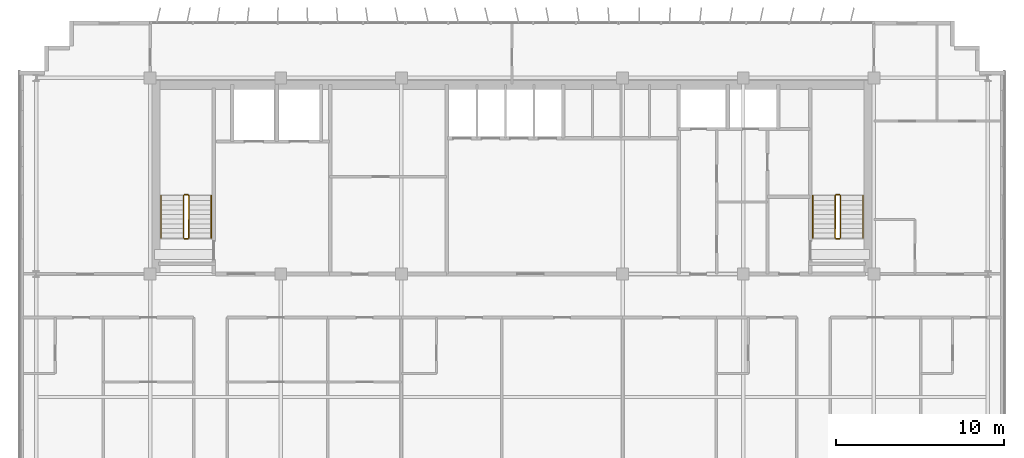
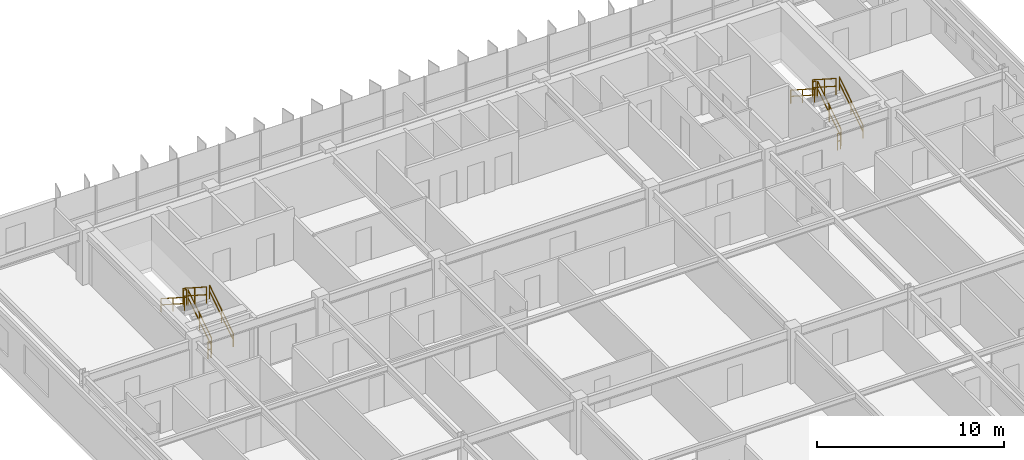
# One storey, part 21 of 21: 12 railings.
"""IFC4 building model written with IfcOpenShell, lengths in metres."""

from ifc_helpers import new_model, si_unit, direction, frame, origin, origin_2d, place, context, subcontext, project, spatial, rectangle, extrude, material, type_object, element, save


model = new_model("IFC4")

# Units and contexts
model_context = context("Model", 3, precision=1e-05, world=origin(), true_north=direction((0.0, 1.0)))
body_context = subcontext(model_context, "Body", "Model", "MODEL_VIEW")
ifc_project = project(units=[si_unit("LENGTHUNIT", "METRE"), si_unit("AREAUNIT", "SQUARE_METRE"), si_unit("VOLUMEUNIT", "CUBIC_METRE"), si_unit("PLANEANGLEUNIT", "RADIAN"), si_unit("MASSUNIT", "GRAM", prefix="KILO")], contexts=[model_context])

# Site, building, storey
site_placement = place(None, origin())
site = spatial("IfcSite", under=ifc_project, at=site_placement, CompositionType="ELEMENT")
building_placement = place(site_placement, origin())
building = spatial("IfcBuilding", under=site, at=building_placement, Name="Trelvane Seafront Commons", CompositionType="ELEMENT")
storey_placement = place(building_placement, frame((0.0, 0.0, 160.89990234375)))
storey = spatial("IfcBuildingStorey", under=building, at=storey_placement, Name="L42", CompositionType="ELEMENT", Elevation=160.89990234375)

# Railings
ifc_material = material(Name="Stainless steel balustrade", Category="steel")
railing_type_1 = type_object("IfcRailingType", Name="ARCH-SRL-GUARD", PredefinedType="GUARDRAIL", material=ifc_material)
railing_1_placement = place(storey_placement, frame((17.89990234375, 35.550048828125, 0.18017578125)))
element("IfcRailing", 1, at=railing_1_placement, inside=storey, type_object=railing_type_1, Name="L42 ST-1 stair guard 1", PredefinedType="GUARDRAIL", context=body_context, shape_type="SweptSolid", body=[
    extrude(rectangle(XDim=0.048095703125, YDim=0.048095703125, at=origin_2d()), frame((0.0, 0.0, 1.076171875), z_axis=(0.0, 0.841199657755, 0.540724639528), x_axis=(-1.0, 0.0, 0.0)), (0.0, 0.0, 1.0), 2.995849609375),
    extrude(rectangle(XDim=0.048095703125, YDim=0.048095703125, at=origin_2d()), frame((0.0, 0.0, 0.572021484375), z_axis=(0.0, 0.841199657755, 0.540724639528), x_axis=(-1.0, 0.0, 0.0)), (0.0, 0.0, 1.0), 2.995849609375),
    extrude(rectangle(XDim=0.0419921875, YDim=0.0419921875, at=origin_2d()), origin(), (0.0, 0.0, 1.0), 1.076171875),
    extrude(rectangle(XDim=0.0419921875, YDim=0.0419921875, at=origin_2d()), frame((0.0, 1.260009765625, 0.81005859375)), (0.0, 0.0, 1.0), 1.076171875),
    extrude(rectangle(XDim=0.0419921875, YDim=0.0419921875, at=origin_2d()), frame((0.0, 2.52001953125, 1.619873046875)), (0.0, 0.0, 1.0), 1.076171875),
])
railing_2_placement = place(storey_placement, frame((17.85009765625, 38.1201171875, 1.800048828125)))
element("IfcRailing", 2, at=railing_2_placement, inside=storey, type_object=railing_type_1, Name="L42 ST-1 stair guard 2", PredefinedType="GUARDRAIL", context=body_context, shape_type="SweptSolid", body=[
    extrude(rectangle(XDim=0.048095703125, YDim=0.048095703125, at=origin_2d()), frame((0.0, 0.0, 1.076171875), z_axis=(-1.0, 0.0, 0.0), x_axis=(0.0, -1.0, 0.0)), (0.0, 0.0, 1.0), 0.2001953125),
    extrude(rectangle(XDim=0.048095703125, YDim=0.048095703125, at=origin_2d()), frame((0.0, 0.0, 0.572021484375), z_axis=(-1.0, 0.0, 0.0), x_axis=(0.0, -1.0, 0.0)), (0.0, 0.0, 1.0), 0.2001953125),
    extrude(rectangle(XDim=0.0419921875, YDim=0.0419921875, at=origin_2d()), origin(), (0.0, 0.0, 1.0), 1.076171875),
    extrude(rectangle(XDim=0.0419921875, YDim=0.0419921875, at=origin_2d()), frame((-0.2001953125, 0.0, 0.0)), (0.0, 0.0, 1.0), 1.076171875),
])
railing_3_placement = place(storey_placement, frame((17.60009765625, 38.070068359375, 1.97998046875)))
element("IfcRailing", 3, at=railing_3_placement, inside=storey, type_object=railing_type_1, Name="L42 ST-1 stair guard 3", PredefinedType="GUARDRAIL", context=body_context, shape_type="SweptSolid", body=[
    extrude(rectangle(XDim=0.048095703125, YDim=0.048095703125, at=origin_2d()), frame((0.0, 0.0, 1.076171875), z_axis=(0.0, -0.841162588446, 0.540782303519), x_axis=(1.0, 0.0, 0.0)), (0.0, 0.0, 1.0), 2.995849609375),
    extrude(rectangle(XDim=0.048095703125, YDim=0.048095703125, at=origin_2d()), frame((0.0, 0.0, 0.572021484375), z_axis=(0.0, -0.841162588446, 0.540782303519), x_axis=(1.0, 0.0, 0.0)), (0.0, 0.0, 1.0), 2.995849609375),
    extrude(rectangle(XDim=0.0419921875, YDim=0.0419921875, at=origin_2d()), origin(), (0.0, 0.0, 1.0), 1.076171875),
    extrude(rectangle(XDim=0.0419921875, YDim=0.0419921875, at=origin_2d()), frame((0.0, -1.260009765625, 0.81005859375)), (0.0, 0.0, 1.0), 1.076171875),
    extrude(rectangle(XDim=0.0419921875, YDim=0.0419921875, at=origin_2d()), frame((0.0, -2.52001953125, 1.6201171875)), (0.0, 0.0, 1.0), 1.076171875),
])
railing_4_placement = place(storey_placement, frame((17.85009765625, 35.5, 0.0)))
element("IfcRailing", 4, at=railing_4_placement, inside=storey, type_object=railing_type_1, Name="L42 ST-1 stair guard 4", PredefinedType="GUARDRAIL", context=body_context, shape_type="SweptSolid", body=[
    extrude(rectangle(XDim=0.048095703125, YDim=0.048095703125, at=origin_2d()), frame((0.0, 0.0, 1.076171875), z_axis=(-1.0, 0.0, 0.0), x_axis=(0.0, -1.0, 0.0)), (0.0, 0.0, 1.0), 0.2001953125),
    extrude(rectangle(XDim=0.048095703125, YDim=0.048095703125, at=origin_2d()), frame((0.0, 0.0, 0.572021484375), z_axis=(-1.0, 0.0, 0.0), x_axis=(0.0, -1.0, 0.0)), (0.0, 0.0, 1.0), 0.2001953125),
    extrude(rectangle(XDim=0.0419921875, YDim=0.0419921875, at=origin_2d()), origin(), (0.0, 0.0, 1.0), 1.076171875),
    extrude(rectangle(XDim=0.0419921875, YDim=0.0419921875, at=origin_2d()), frame((-0.2001953125, 0.0, 0.0)), (0.0, 0.0, 1.0), 1.076171875),
])
railing_5_placement = place(storey_placement, frame((56.800048828125, 35.550048828125, 0.18017578125)))
element("IfcRailing", 5, at=railing_5_placement, inside=storey, type_object=railing_type_1, Name="L42 ST-2 stair guard 1", PredefinedType="GUARDRAIL", context=body_context, shape_type="SweptSolid", body=[
    extrude(rectangle(XDim=0.048095703125, YDim=0.048095703125, at=origin_2d()), frame((0.0, 0.0, 1.076171875), z_axis=(0.0, 0.841199657755, 0.540724639528), x_axis=(-1.0, 0.0, 0.0)), (0.0, 0.0, 1.0), 2.995849609375),
    extrude(rectangle(XDim=0.048095703125, YDim=0.048095703125, at=origin_2d()), frame((0.0, 0.0, 0.572021484375), z_axis=(0.0, 0.841199657755, 0.540724639528), x_axis=(-1.0, 0.0, 0.0)), (0.0, 0.0, 1.0), 2.995849609375),
    extrude(rectangle(XDim=0.0419921875, YDim=0.0419921875, at=origin_2d()), origin(), (0.0, 0.0, 1.0), 1.076171875),
    extrude(rectangle(XDim=0.0419921875, YDim=0.0419921875, at=origin_2d()), frame((0.0, 1.260009765625, 0.81005859375)), (0.0, 0.0, 1.0), 1.076171875),
    extrude(rectangle(XDim=0.0419921875, YDim=0.0419921875, at=origin_2d()), frame((0.0, 2.52001953125, 1.619873046875)), (0.0, 0.0, 1.0), 1.076171875),
])
railing_6_placement = place(storey_placement, frame((56.75, 38.1201171875, 1.800048828125)))
element("IfcRailing", 6, at=railing_6_placement, inside=storey, type_object=railing_type_1, Name="L42 ST-2 stair guard 2", PredefinedType="GUARDRAIL", context=body_context, shape_type="SweptSolid", body=[
    extrude(rectangle(XDim=0.048095703125, YDim=0.048095703125, at=origin_2d()), frame((0.0, 0.0, 1.076171875), z_axis=(-1.0, 0.0, 0.0), x_axis=(0.0, -1.0, 0.0)), (0.0, 0.0, 1.0), 0.199951171875),
    extrude(rectangle(XDim=0.048095703125, YDim=0.048095703125, at=origin_2d()), frame((0.0, 0.0, 0.572021484375), z_axis=(-1.0, 0.0, 0.0), x_axis=(0.0, -1.0, 0.0)), (0.0, 0.0, 1.0), 0.199951171875),
    extrude(rectangle(XDim=0.0419921875, YDim=0.0419921875, at=origin_2d()), origin(), (0.0, 0.0, 1.0), 1.076171875),
    extrude(rectangle(XDim=0.0419921875, YDim=0.0419921875, at=origin_2d()), frame((-0.199951171875, 0.0, 0.0)), (0.0, 0.0, 1.0), 1.076171875),
])
railing_7_placement = place(storey_placement, frame((56.5, 38.070068359375, 1.97998046875)))
element("IfcRailing", 7, at=railing_7_placement, inside=storey, type_object=railing_type_1, Name="L42 ST-2 stair guard 3", PredefinedType="GUARDRAIL", context=body_context, shape_type="SweptSolid", body=[
    extrude(rectangle(XDim=0.048095703125, YDim=0.048095703125, at=origin_2d()), frame((0.0, 0.0, 1.076171875), z_axis=(0.0, -0.841162588446, 0.540782303519), x_axis=(1.0, 0.0, 0.0)), (0.0, 0.0, 1.0), 2.995849609375),
    extrude(rectangle(XDim=0.048095703125, YDim=0.048095703125, at=origin_2d()), frame((0.0, 0.0, 0.572021484375), z_axis=(0.0, -0.841162588446, 0.540782303519), x_axis=(1.0, 0.0, 0.0)), (0.0, 0.0, 1.0), 2.995849609375),
    extrude(rectangle(XDim=0.0419921875, YDim=0.0419921875, at=origin_2d()), origin(), (0.0, 0.0, 1.0), 1.076171875),
    extrude(rectangle(XDim=0.0419921875, YDim=0.0419921875, at=origin_2d()), frame((0.0, -1.260009765625, 0.81005859375)), (0.0, 0.0, 1.0), 1.076171875),
    extrude(rectangle(XDim=0.0419921875, YDim=0.0419921875, at=origin_2d()), frame((0.0, -2.52001953125, 1.6201171875)), (0.0, 0.0, 1.0), 1.076171875),
])
railing_8_placement = place(storey_placement, frame((56.75, 35.5, 0.0)))
element("IfcRailing", 8, at=railing_8_placement, inside=storey, type_object=railing_type_1, Name="L42 ST-2 stair guard 4", PredefinedType="GUARDRAIL", context=body_context, shape_type="SweptSolid", body=[
    extrude(rectangle(XDim=0.048095703125, YDim=0.048095703125, at=origin_2d()), frame((0.0, 0.0, 1.076171875), z_axis=(-1.0, 0.0, 0.0), x_axis=(0.0, -1.0, 0.0)), (0.0, 0.0, 1.0), 0.199951171875),
    extrude(rectangle(XDim=0.048095703125, YDim=0.048095703125, at=origin_2d()), frame((0.0, 0.0, 0.572021484375), z_axis=(-1.0, 0.0, 0.0), x_axis=(0.0, -1.0, 0.0)), (0.0, 0.0, 1.0), 0.199951171875),
    extrude(rectangle(XDim=0.0419921875, YDim=0.0419921875, at=origin_2d()), origin(), (0.0, 0.0, 1.0), 1.076171875),
    extrude(rectangle(XDim=0.0419921875, YDim=0.0419921875, at=origin_2d()), frame((-0.199951171875, 0.0, 0.0)), (0.0, 0.0, 1.0), 1.076171875),
])
railing_type_2 = type_object("IfcRailingType", Name="ARCH-SRL-HAND", PredefinedType="HANDRAIL", material=ifc_material)
railing_9_placement = place(storey_placement, frame((19.25, 35.550048828125, 0.18017578125)))
element("IfcRailing", 9, at=railing_9_placement, inside=storey, type_object=railing_type_2, Name="L42 ST-1 stair handrail 1", PredefinedType="HANDRAIL", context=body_context, shape_type="SweptSolid", body=[
    extrude(rectangle(XDim=0.048095703125, YDim=0.048095703125, at=origin_2d()), frame((0.0, 0.0, 0.8759765625), z_axis=(0.0, 0.841199657755, 0.540724639528), x_axis=(-1.0, 0.0, 0.0)), (0.0, 0.0, 1.0), 2.995849609375),
    extrude(rectangle(XDim=0.048095703125, YDim=0.048095703125, at=origin_2d()), frame((0.0, 0.0, 0.468017578125), z_axis=(0.0, 0.841199657755, 0.540724639528), x_axis=(-1.0, 0.0, 0.0)), (0.0, 0.0, 1.0), 2.995849609375),
    extrude(rectangle(XDim=0.0419921875, YDim=0.0419921875, at=origin_2d()), origin(), (0.0, 0.0, 1.0), 0.8759765625),
    extrude(rectangle(XDim=0.0419921875, YDim=0.0419921875, at=origin_2d()), frame((0.0, 1.260009765625, 0.81005859375)), (0.0, 0.0, 1.0), 0.8759765625),
    extrude(rectangle(XDim=0.0419921875, YDim=0.0419921875, at=origin_2d()), frame((0.0, 2.52001953125, 1.619873046875)), (0.0, 0.0, 1.0), 0.8759765625),
])
railing_10_placement = place(storey_placement, frame((16.25, 38.070068359375, 1.97998046875)))
element("IfcRailing", 10, at=railing_10_placement, inside=storey, type_object=railing_type_2, Name="L42 ST-1 stair handrail 2", PredefinedType="HANDRAIL", context=body_context, shape_type="SweptSolid", body=[
    extrude(rectangle(XDim=0.048095703125, YDim=0.048095703125, at=origin_2d()), frame((0.0, 0.0, 0.8759765625), z_axis=(0.0, -0.841162588446, 0.540782303519), x_axis=(1.0, 0.0, 0.0)), (0.0, 0.0, 1.0), 2.995849609375),
    extrude(rectangle(XDim=0.048095703125, YDim=0.048095703125, at=origin_2d()), frame((0.0, 0.0, 0.468017578125), z_axis=(0.0, -0.841162588446, 0.540782303519), x_axis=(1.0, 0.0, 0.0)), (0.0, 0.0, 1.0), 2.995849609375),
    extrude(rectangle(XDim=0.0419921875, YDim=0.0419921875, at=origin_2d()), origin(), (0.0, 0.0, 1.0), 0.8759765625),
    extrude(rectangle(XDim=0.0419921875, YDim=0.0419921875, at=origin_2d()), frame((0.0, -1.260009765625, 0.81005859375)), (0.0, 0.0, 1.0), 0.8759765625),
    extrude(rectangle(XDim=0.0419921875, YDim=0.0419921875, at=origin_2d()), frame((0.0, -2.52001953125, 1.6201171875)), (0.0, 0.0, 1.0), 0.8759765625),
])
railing_11_placement = place(storey_placement, frame((58.14990234375, 35.550048828125, 0.18017578125)))
element("IfcRailing", 11, at=railing_11_placement, inside=storey, type_object=railing_type_2, Name="L42 ST-2 stair handrail 1", PredefinedType="HANDRAIL", context=body_context, shape_type="SweptSolid", body=[
    extrude(rectangle(XDim=0.048095703125, YDim=0.048095703125, at=origin_2d()), frame((0.0, 0.0, 0.8759765625), z_axis=(0.0, 0.841199657755, 0.540724639528), x_axis=(-1.0, 0.0, 0.0)), (0.0, 0.0, 1.0), 2.995849609375),
    extrude(rectangle(XDim=0.048095703125, YDim=0.048095703125, at=origin_2d()), frame((0.0, 0.0, 0.468017578125), z_axis=(0.0, 0.841199657755, 0.540724639528), x_axis=(-1.0, 0.0, 0.0)), (0.0, 0.0, 1.0), 2.995849609375),
    extrude(rectangle(XDim=0.0419921875, YDim=0.0419921875, at=origin_2d()), origin(), (0.0, 0.0, 1.0), 0.8759765625),
    extrude(rectangle(XDim=0.0419921875, YDim=0.0419921875, at=origin_2d()), frame((0.0, 1.260009765625, 0.81005859375)), (0.0, 0.0, 1.0), 0.8759765625),
    extrude(rectangle(XDim=0.0419921875, YDim=0.0419921875, at=origin_2d()), frame((0.0, 2.52001953125, 1.619873046875)), (0.0, 0.0, 1.0), 0.8759765625),
])
railing_12_placement = place(storey_placement, frame((55.14990234375, 38.070068359375, 1.97998046875)))
element("IfcRailing", 12, at=railing_12_placement, inside=storey, type_object=railing_type_2, Name="L42 ST-2 stair handrail 2", PredefinedType="HANDRAIL", context=body_context, shape_type="SweptSolid", body=[
    extrude(rectangle(XDim=0.048095703125, YDim=0.048095703125, at=origin_2d()), frame((0.0, 0.0, 0.8759765625), z_axis=(0.0, -0.841162588446, 0.540782303519), x_axis=(1.0, 0.0, 0.0)), (0.0, 0.0, 1.0), 2.995849609375),
    extrude(rectangle(XDim=0.048095703125, YDim=0.048095703125, at=origin_2d()), frame((0.0, 0.0, 0.468017578125), z_axis=(0.0, -0.841162588446, 0.540782303519), x_axis=(1.0, 0.0, 0.0)), (0.0, 0.0, 1.0), 2.995849609375),
    extrude(rectangle(XDim=0.0419921875, YDim=0.0419921875, at=origin_2d()), origin(), (0.0, 0.0, 1.0), 0.8759765625),
    extrude(rectangle(XDim=0.0419921875, YDim=0.0419921875, at=origin_2d()), frame((0.0, -1.260009765625, 0.81005859375)), (0.0, 0.0, 1.0), 0.8759765625),
    extrude(rectangle(XDim=0.0419921875, YDim=0.0419921875, at=origin_2d()), frame((0.0, -2.52001953125, 1.6201171875)), (0.0, 0.0, 1.0), 0.8759765625),
])

save(model, "model.ifc")
